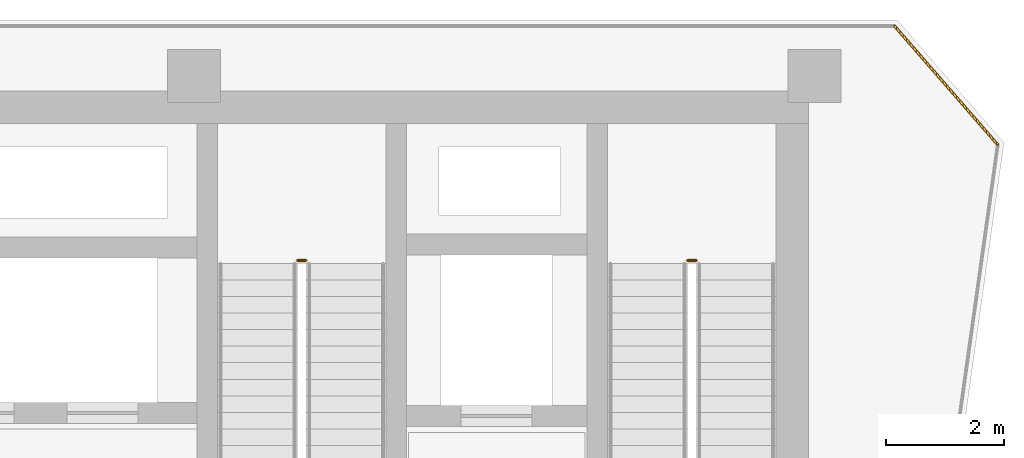
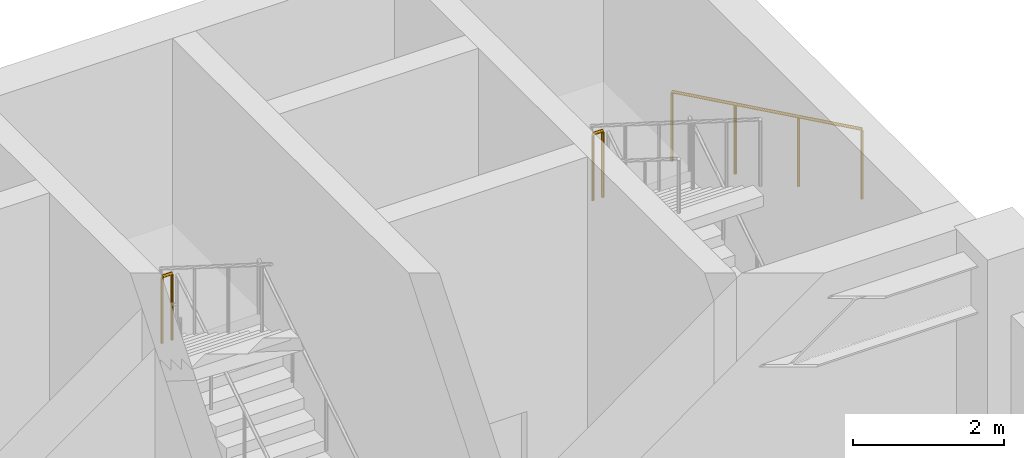
# One storey, part 12 of 12: 3 railings.
"""IFC4 building model written with IfcOpenShell, lengths in metres."""

from ifc_helpers import new_model, si_unit, direction, frame, origin, origin_2d, place, context, subcontext, project, spatial, circle, extrude, material, layer, layer_set, type_object, element, save


model = new_model("IFC4")

# Units and contexts
model_context = context("Model", 3, precision=1e-05, world=origin(), true_north=direction((0.0, 1.0)))
body_context = subcontext(model_context, "Body", "Model", "MODEL_VIEW")
ifc_project = project(units=[si_unit("LENGTHUNIT", "METRE"), si_unit("AREAUNIT", "SQUARE_METRE"), si_unit("VOLUMEUNIT", "CUBIC_METRE"), si_unit("PLANEANGLEUNIT", "RADIAN"), si_unit("MASSUNIT", "GRAM", prefix="KILO")], contexts=[model_context])

# Site, building, storey
site_placement = place(None, origin())
site = spatial("IfcSite", under=ifc_project, at=site_placement, CompositionType="ELEMENT")
building_placement = place(site_placement, origin())
building = spatial("IfcBuilding", under=site, at=building_placement, Name="Kravanh Interchange Tower", CompositionType="ELEMENT")
storey_placement = place(building_placement, frame((0.0, 0.0, 225.0)))
storey = spatial("IfcBuildingStorey", under=building, at=storey_placement, Name="L54", CompositionType="ELEMENT", Elevation=225.0)

# Railings
ifc_material_1 = material(Name="Structural Steel S355", Category="steel")
ifc_layer_1 = layer(ifc_material_1, 0.050048828125)
ifc_layer_set_1 = layer_set([ifc_layer_1], Name="Stair Well Guardrail Structural Steel S355 1100mm")
railing_type_1 = type_object("IfcRailingType", Name="Stair Well Guardrail Structural Steel S355 1100mm", PredefinedType="GUARDRAIL", material=ifc_layer_set_1)
for number, where, name in (
    (1, (64.5, 44.429931640625, 3.0), "L54 ST1 stair guard 2"),
    (2, (57.89990234375, 44.429931640625, 3.0), "L54 ST2 stair guard 2"),
):
    element("IfcRailing", number, at=place(storey_placement, frame(where)), inside=storey, type_object=railing_type_1, Name=name, PredefinedType="GUARDRAIL", context=body_context, shape_type="SweptSolid", body=[
        extrude(circle(Radius=0.02392578125, at=origin_2d()), frame((0.0, 0.0, 1.076171875), z_axis=(-1.0, 0.0, 0.0), x_axis=(0.0, -1.0, 0.0)), (0.0, 0.0, 1.0), 0.14990234375),
        extrude(circle(Radius=0.02099609375, at=origin_2d()), origin(), (0.0, 0.0, 1.0), 1.052001953125),
        extrude(circle(Radius=0.02099609375, at=origin_2d()), frame((-0.14990234375, 0.0, 0.0)), (0.0, 0.0, 1.0), 1.052001953125),
    ])
ifc_material_2 = material(Name="Structural Steel S355", Category="steel")
ifc_layer_2 = layer(ifc_material_2, 0.070068359375)
ifc_layer_set_2 = layer_set([ifc_layer_2], Name="Wind Storey Perimeter Safety Guardrail Structural Steel S355 1150mm")
railing_type_2 = type_object("IfcRailingType", Name="Wind Storey Perimeter Safety Guardrail Structural Steel S355 1150mm", PredefinedType="GUARDRAIL", material=ifc_layer_set_2)
railing_placement = place(storey_placement, frame((67.8544921875, 48.39990234375, 0.0)))
element("IfcRailing", 3, at=railing_placement, inside=storey, type_object=railing_type_2, Name="L54 Open Wind Floor Perimeter Guardrail 4", PredefinedType="GUARDRAIL", context=body_context, shape_type="SweptSolid", body=[
    extrude(circle(Radius=0.02392578125, at=origin_2d()), frame((0.0, 0.0, 1.1259765625), z_axis=(0.656035771694, -0.754729796853, 0.0), x_axis=(0.754729796853, 0.656035771694, 0.0)), (0.0, 0.0, 1.0), 2.664306640625),
    extrude(circle(Radius=0.02099609375, at=origin_2d()), origin(), (0.0, 0.0, 1.0), 1.101806640625),
    extrude(circle(Radius=0.02099609375, at=origin_2d()), frame((0.58251953125, -0.670166015625, 0.0)), (0.0, 0.0, 1.0), 1.101806640625),
    extrude(circle(Radius=0.02099609375, at=origin_2d()), frame((1.165283203125, -1.340576171875, 0.0)), (0.0, 0.0, 1.0), 1.101806640625),
    extrude(circle(Radius=0.02099609375, at=origin_2d()), frame((1.747802734375, -2.0107421875, 0.0)), (0.0, 0.0, 1.0), 1.101806640625),
])

save(model, "model.ifc")
